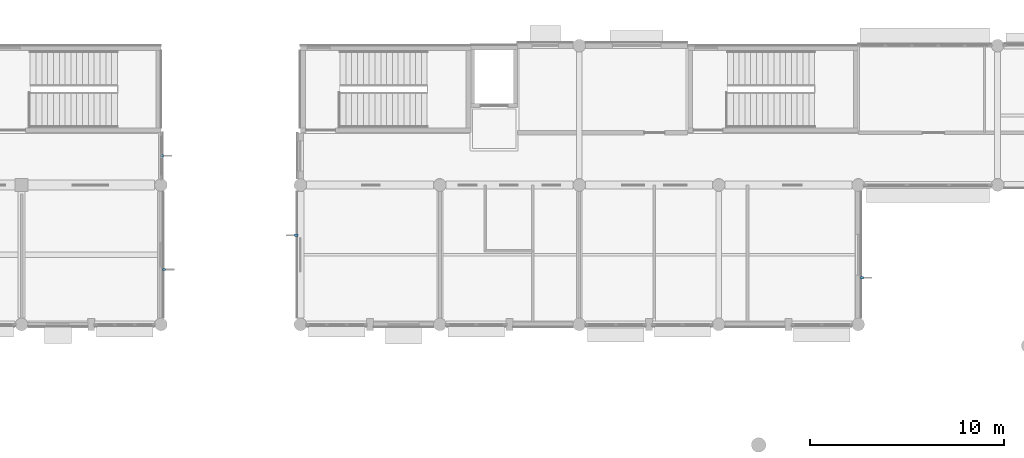
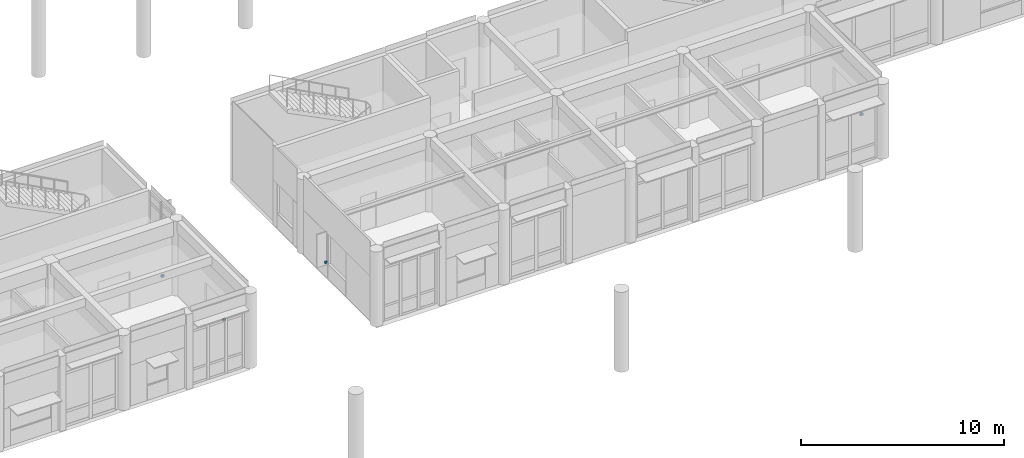
# One storey, part 58 of 92: 4 discrete accessories.
"""IFC4 building model written with IfcOpenShell, lengths in metres."""

from ifc_helpers import new_model, si_unit, direction, frame, origin, origin_2d, place, context, subcontext, project, spatial, rectangle, extrude, material, type_object, element, save


model = new_model("IFC4")

# Units and contexts
model_context = context("Model", 3, precision=1e-05, world=origin(), true_north=direction((0.0, 1.0)))
body_context = subcontext(model_context, "Body", "Model", "MODEL_VIEW")
ifc_project = project(units=[si_unit("LENGTHUNIT", "METRE"), si_unit("AREAUNIT", "SQUARE_METRE"), si_unit("VOLUMEUNIT", "CUBIC_METRE"), si_unit("PLANEANGLEUNIT", "RADIAN"), si_unit("MASSUNIT", "GRAM", prefix="KILO")], contexts=[model_context])

# Site, building, storey
site_placement = place(None, origin())
site = spatial("IfcSite", under=ifc_project, at=site_placement, CompositionType="ELEMENT")
building_placement = place(site_placement, origin())
building = spatial("IfcBuilding", under=site, at=building_placement, Name="Namkhue Oval Health Centre", CompositionType="ELEMENT")
storey_placement = place(building_placement, frame((0.0, 0.0, 4.800048828125)))
storey = spatial("IfcBuildingStorey", under=building, at=storey_placement, Name="L01", CompositionType="ELEMENT", Elevation=4.800048828125)

# Discrete accessories
ifc_material = material(Name="Structural steel S355JR (TCVN CCT38)", Category="steel")
discrete_accessory_type = type_object("IfcDiscreteAccessoryType", Name="FACADE SHADING BRACKET", PredefinedType="BRACKET", material=ifc_material)
for number, where, z_axis, x_axis, name in (
    (1, (86.56494140625, 17.235107421875, 0.89990234375), (0.0, 0.0, 1.0), (1.0, 0.0, 0.0), "Window Fin Bracket 204"),
    (2, (86.4599609375, 23.10888671875, 0.0), (0.0, 0.0, 1.0), (1.0, 0.0, 0.0), "Solar Fin Bracket 205"),
    (3, (122.590087890625, 16.81005859375, 0.89990234375), (0.0, 0.0, 1.0), (1.0, 0.0, 0.0), "Window Fin Bracket 257"),
    (4, (93.385009765625, 19.014892578125, 0.89990234375), (0.0, 0.0, 1.0), (-1.0, 0.0, 0.0), "Window Fin Bracket 265"),
):
    element("IfcDiscreteAccessory", number, at=place(storey_placement, frame(where, z_axis=z_axis, x_axis=x_axis)), inside=storey, type_object=discrete_accessory_type, Name=name, PredefinedType="BRACKET", context=body_context, shape_type="SweptSolid", body=[
        extrude(rectangle(XDim=0.159912109375, YDim=0.1201171875, at=origin_2d()), origin(), (0.0, 0.0, 1.0), 0.1201171875),
    ])

save(model, "model.ifc")
